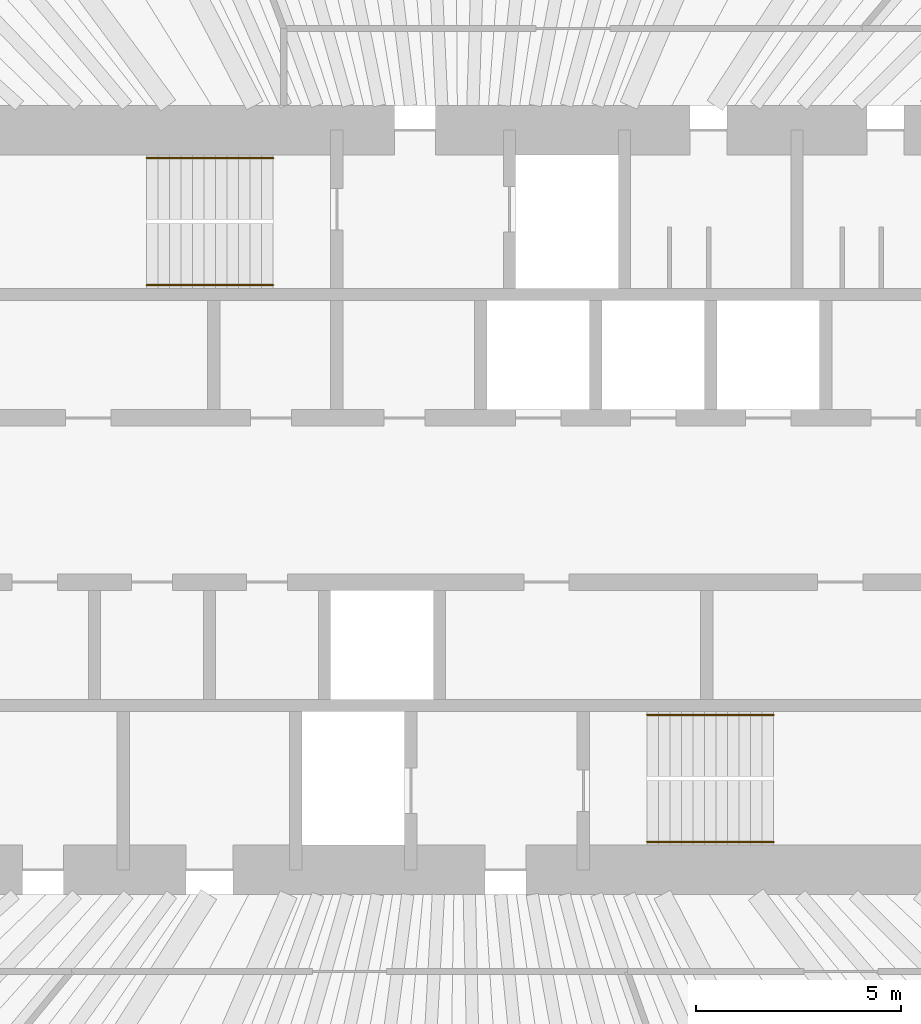
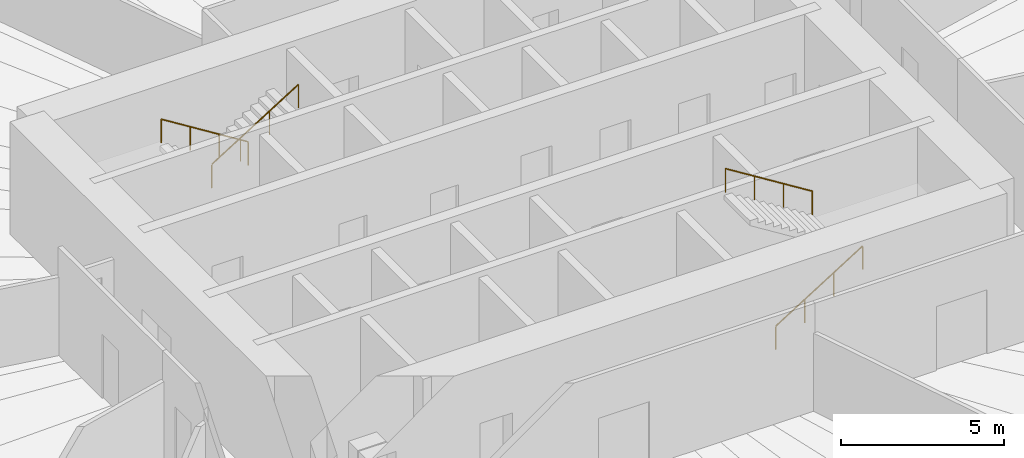
# One storey, part 13 of 13: 4 railings.
"""IFC4 building model written with IfcOpenShell, lengths in metres."""

from ifc_helpers import new_model, si_unit, direction, frame, origin, origin_2d, place, context, subcontext, project, spatial, circle, extrude, material, type_object, element, save


model = new_model("IFC4")

# Units and contexts
model_context = context("Model", 3, precision=1e-05, world=origin(), true_north=direction((0.0, 1.0)))
body_context = subcontext(model_context, "Body", "Model", "MODEL_VIEW")
ifc_project = project(units=[si_unit("LENGTHUNIT", "METRE"), si_unit("AREAUNIT", "SQUARE_METRE"), si_unit("VOLUMEUNIT", "CUBIC_METRE"), si_unit("PLANEANGLEUNIT", "RADIAN"), si_unit("MASSUNIT", "GRAM", prefix="KILO")], contexts=[model_context])

# Site, building, storey
site_placement = place(None, origin())
site = spatial("IfcSite", under=ifc_project, at=site_placement, CompositionType="ELEMENT")
building_placement = place(site_placement, origin())
building = spatial("IfcBuilding", under=site, at=building_placement, Name="Qingtian Harvest Tower", CompositionType="ELEMENT")
storey_placement = place(building_placement, frame((0.0, 0.0, 247.60009765625)))
storey = spatial("IfcBuildingStorey", under=building, at=storey_placement, Name="L54", CompositionType="ELEMENT", Elevation=247.60009765625)

# Railings
ifc_material = material(Name="Stainless steel handrail", Category="steel")
railing_type = type_object("IfcRailingType", Name="Handrail HR1", PredefinedType="HANDRAIL", material=ifc_material)
railing_1_placement = place(storey_placement, frame((-4.550048828125, 8.320068359375, 0.1748046875)))
element("IfcRailing", 1, at=railing_1_placement, inside=storey, type_object=railing_type, Name="Handrail HR1 S1 flight 1", PredefinedType="HANDRAIL", context=body_context, shape_type="SweptSolid", body=[
    extrude(circle(Radius=0.02392578125, at=origin_2d()), frame((0.0, 0.0, 0.8759765625), z_axis=(-0.847979421464, 0.0, 0.530029150871), x_axis=(0.0, -1.0, 0.0)), (0.0, 0.0, 1.0), 3.632080078125),
    extrude(circle(Radius=0.02099609375, at=origin_2d()), origin(), (0.0, 0.0, 1.0), 0.851806640625),
    extrude(circle(Radius=0.02099609375, at=origin_2d()), frame((-1.026611328125, 0.0, 0.6416015625)), (0.0, 0.0, 1.0), 0.851806640625),
    extrude(circle(Radius=0.02099609375, at=origin_2d()), frame((-2.05322265625, 0.0, 1.283447265625)), (0.0, 0.0, 1.0), 0.851806640625),
    extrude(circle(Radius=0.02099609375, at=origin_2d()), frame((-3.079833984375, 0.0, 1.925048828125)), (0.0, 0.0, 1.0), 0.851806640625),
])
for number, where, name in (
    (2, (-7.6298828125, 5.22998046875, 2.27490234375), "Handrail HR1 S1 flight 2"),
    (3, (4.550048828125, -8.320068359375, 0.1748046875), "Handrail HR1 S2 flight 1"),
):
    element("IfcRailing", number, at=place(storey_placement, frame(where)), inside=storey, type_object=railing_type, Name=name, PredefinedType="HANDRAIL", context=body_context, shape_type="SweptSolid", body=[
        extrude(circle(Radius=0.02392578125, at=origin_2d()), frame((0.0, 0.0, 0.8759765625), z_axis=(0.847979421464, 0.0, 0.530029150871), x_axis=(0.0, 1.0, 0.0)), (0.0, 0.0, 1.0), 3.632080078125),
        extrude(circle(Radius=0.02099609375, at=origin_2d()), origin(), (0.0, 0.0, 1.0), 0.851806640625),
        extrude(circle(Radius=0.02099609375, at=origin_2d()), frame((1.026611328125, 0.0, 0.6416015625)), (0.0, 0.0, 1.0), 0.851806640625),
        extrude(circle(Radius=0.02099609375, at=origin_2d()), frame((2.05322265625, 0.0, 1.283447265625)), (0.0, 0.0, 1.0), 0.851806640625),
        extrude(circle(Radius=0.02099609375, at=origin_2d()), frame((3.079833984375, 0.0, 1.925048828125)), (0.0, 0.0, 1.0), 0.851806640625),
    ])
railing_2_placement = place(storey_placement, frame((7.6298828125, -5.22998046875, 2.27490234375)))
element("IfcRailing", 4, at=railing_2_placement, inside=storey, type_object=railing_type, Name="Handrail HR1 S2 flight 2", PredefinedType="HANDRAIL", context=body_context, shape_type="SweptSolid", body=[
    extrude(circle(Radius=0.02392578125, at=origin_2d()), frame((0.0, 0.0, 0.8759765625), z_axis=(-0.847979421464, 0.0, 0.530029150871), x_axis=(0.0, -1.0, 0.0)), (0.0, 0.0, 1.0), 3.632080078125),
    extrude(circle(Radius=0.02099609375, at=origin_2d()), origin(), (0.0, 0.0, 1.0), 0.851806640625),
    extrude(circle(Radius=0.02099609375, at=origin_2d()), frame((-1.026611328125, 0.0, 0.6416015625)), (0.0, 0.0, 1.0), 0.851806640625),
    extrude(circle(Radius=0.02099609375, at=origin_2d()), frame((-2.05322265625, 0.0, 1.283447265625)), (0.0, 0.0, 1.0), 0.851806640625),
    extrude(circle(Radius=0.02099609375, at=origin_2d()), frame((-3.079833984375, 0.0, 1.925048828125)), (0.0, 0.0, 1.0), 0.851806640625),
])

save(model, "model.ifc")
